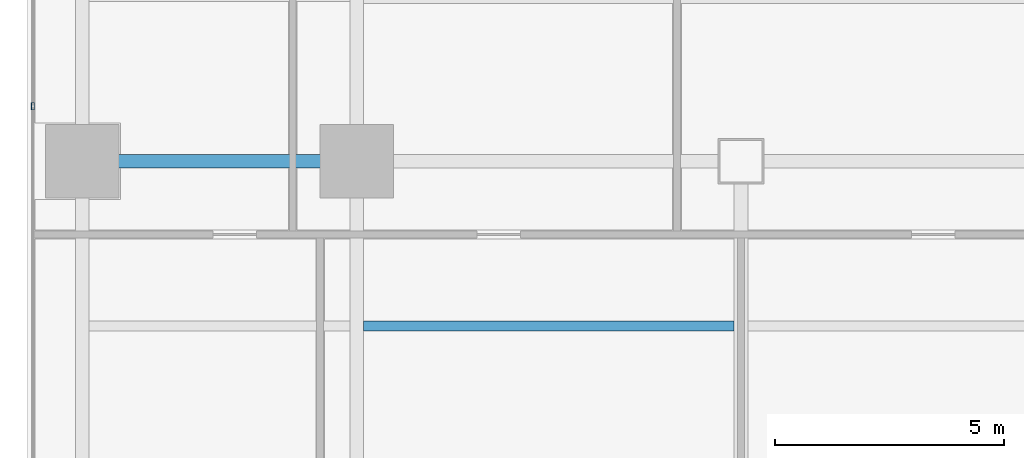
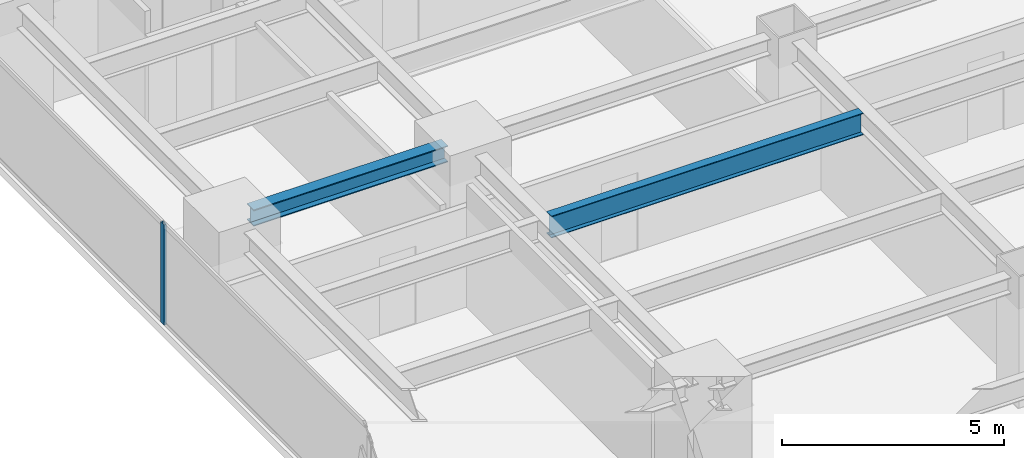
# One storey, part 7 of 28: 2 beams, 1 member, 1 element without a shape of its own.
"""IFC4 building model written with IfcOpenShell, lengths in metres."""

from ifc_helpers import new_model, si_unit, direction, frame, origin, origin_2d, place, context, subcontext, project, spatial, hollow_rectangle, i_section, extrude, source, transform, mapped, material, layer, layer_set, material_profile, profile_set, type_object, element, aggregate, save


model = new_model("IFC4")

# Units and contexts
model_context = context("Model", 3, precision=1e-05, world=origin(), true_north=direction((0.0, 1.0)))
body_context = subcontext(model_context, "Body", "Model", "MODEL_VIEW")
ifc_project = project(units=[si_unit("LENGTHUNIT", "METRE"), si_unit("AREAUNIT", "SQUARE_METRE"), si_unit("VOLUMEUNIT", "CUBIC_METRE"), si_unit("PLANEANGLEUNIT", "RADIAN"), si_unit("MASSUNIT", "GRAM", prefix="KILO")], contexts=[model_context])

# Site, building, storey
site_placement = place(None, origin())
site = spatial("IfcSite", under=ifc_project, at=site_placement, CompositionType="ELEMENT")
building_placement = place(site_placement, origin())
building = spatial("IfcBuilding", under=site, at=building_placement, Name="Sumidabori Civic Tower", CompositionType="ELEMENT")
storey_placement = place(building_placement, frame((0.0, 0.0, 153.199951171875)))
storey = spatial("IfcBuildingStorey", under=building, at=storey_placement, Name="L39", CompositionType="ELEMENT", Elevation=153.199951171875)

# Beams
ifc_material_1 = material(Name="Steel SN490", Category="steel")
ifc_material_profile_1 = material_profile(ifc_material_1, i_section(OverallWidth=0.219970703125, OverallDepth=0.60009765625, WebThickness=0.011962890625, FlangeThickness=0.01904296875, at=origin_2d()), Name="IPE 600")
ifc_profile_set_1 = profile_set([ifc_material_profile_1], Name="Steel SN490")
beam_type_1 = type_object("IfcBeamType", Name="BM-JST-600", PredefinedType="JOIST", material=ifc_profile_set_1)
shared_shape_1 = source(origin(), body_context, "Body", "SweptSolid", [
    extrude(i_section(OverallWidth=0.219970703125, OverallDepth=0.60009765625, WebThickness=0.011962890625, FlangeThickness=0.01904296875, at=origin_2d()), origin(), (0.0, 0.0, 1.0), 8.099853515625),
])
beam_1_placement = place(storey_placement, frame((-16.64990234375, -3.60009765625, 3.080078125), z_axis=(1.0, 0.0, 0.0), x_axis=(0.0, 1.0, 0.0)))
element("IfcBeam", 1, at=beam_1_placement, inside=storey, type_object=beam_type_1, Name="South Bay Floor Joist L39 JSTS-57", PredefinedType="JOIST", context=body_context, shape_type="MappedRepresentation", body=[
    mapped(shared_shape_1, transform((0.0, 0.0, 0.0), x_axis=(1.0, 0.0, 0.0), y_axis=(0.0, 1.0, 0.0), z_axis=(0.0, 0.0, 1.0), scale=1.0)),
])
ifc_material_profile_2 = material_profile(ifc_material_1, i_section(OverallWidth=0.300048828125, OverallDepth=0.449951171875, WebThickness=0.013916015625, FlangeThickness=0.02587890625, at=origin_2d()), Name="HE 450 B")
ifc_profile_set_2 = profile_set([ifc_material_profile_2], Name="Steel SN490")
beam_type_2 = type_object("IfcBeamType", Name="BM-GIRD-450", PredefinedType="BEAM", material=ifc_profile_set_2)
shared_shape_2 = source(origin(), body_context, "Body", "SweptSolid", [
    extrude(i_section(OverallWidth=0.300048828125, OverallDepth=0.449951171875, WebThickness=0.013916015625, FlangeThickness=0.02587890625, at=origin_2d()), origin(), (0.0, 0.0, 1.0), 5.0400390625),
])
beam_2_placement = place(storey_placement, frame((-22.320068359375, 0.0, 3.155029296875), z_axis=(1.0, 0.0, 0.0), x_axis=(0.0, 1.0, 0.0)))
element("IfcBeam", 2, at=beam_2_placement, inside=storey, type_object=beam_type_2, Name="Primary Girder L39 GX-11", PredefinedType="BEAM", context=body_context, shape_type="MappedRepresentation", body=[
    mapped(shared_shape_2, transform((0.0, 0.0, 0.0), x_axis=(1.0, 0.0, 0.0), y_axis=(0.0, 1.0, 0.0), z_axis=(0.0, 0.0, 1.0), scale=1.0)),
])

# Curtain wall, member
ifc_material_2 = material(Name="Anodised Bronze Aluminium AW-6063-T6", Category="aluminium")
ifc_layer = layer(ifc_material_2, 0.179931640625, Name="Anodised Bronze Aluminium AW-6063-T6")
ifc_layer_set = layer_set([ifc_layer], Name="Anodised Bronze Aluminium AW-6063-T6")
curtain_wall_type = type_object("IfcCurtainWallType", Name="CW-SYS-3", PredefinedType="NOTDEFINED", material=ifc_layer_set)
curtain_wall_placement = place(storey_placement, origin())
curtain_wall = element("IfcCurtainWall", 3, at=curtain_wall_placement, inside=storey, type_object=curtain_wall_type, Name="Curtain Wall CW:L39:R10", PredefinedType="NOTDEFINED")
ifc_material_profile_3 = material_profile(ifc_material_2, hollow_rectangle(XDim=0.06494140625, YDim=0.159912109375, WallThickness=0.0048828125, at=origin_2d()), Name="ALU MULLION 160x65")
ifc_profile_set_3 = profile_set([ifc_material_profile_3], Name="Anodised Bronze Aluminium AW-6063-T6")
member_type = type_object("IfcMemberType", Name="CW-MUL-160", PredefinedType="MULLION", material=ifc_profile_set_3)
shared_shape_3 = source(origin(), body_context, "Body", "SweptSolid", [
    extrude(hollow_rectangle(XDim=0.06494140625, YDim=0.159912109375, WallThickness=0.0048828125, at=origin_2d()), origin(), (0.0, 0.0, 1.0), 2.760009765625),
])
member_placement = place(storey_placement, frame((-23.8798828125, 1.199951171875, 0.0), z_axis=(0.0, 0.0, 1.0), x_axis=(1.0, 0.0, 0.0)))
member = element("IfcMember", 4, at=member_placement, type_object=member_type, Name="CW-3 mullion 3", PredefinedType="MULLION", context=body_context, shape_type="MappedRepresentation", body=[
    mapped(shared_shape_3, transform((0.0, 0.0, 0.0), x_axis=(1.0, 0.0, 0.0), y_axis=(0.0, 1.0, 0.0), z_axis=(0.0, 0.0, 1.0), scale=1.0)),
])
aggregate(curtain_wall, [member])

save(model, "model.ifc")
